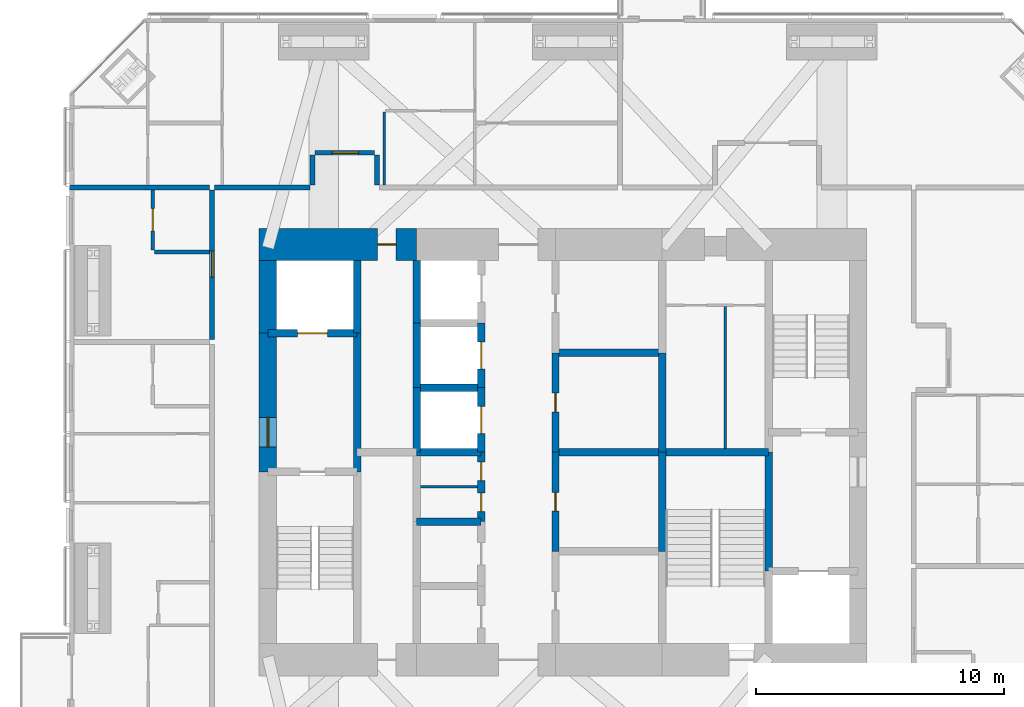
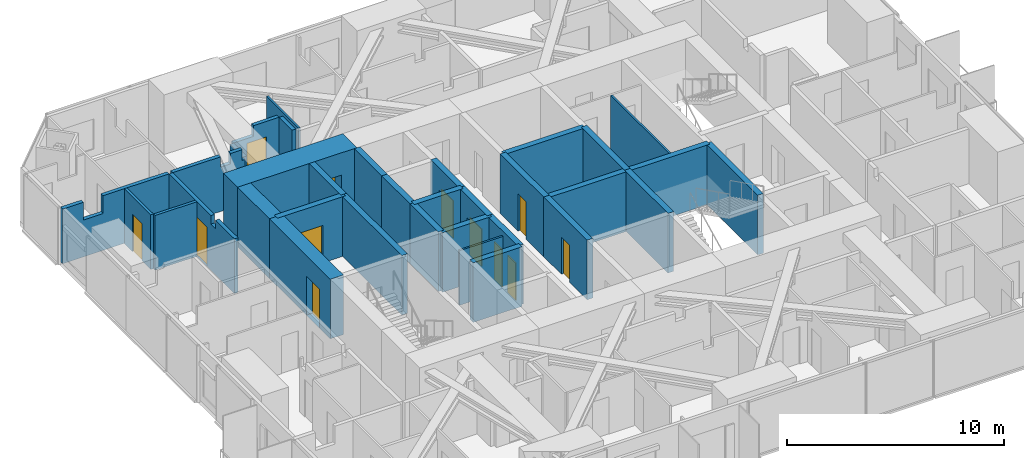
# One storey, part 18 of 22: 34 walls, 12 doors, 12 openings.
"""IFC4 building model written with IfcOpenShell, lengths in metres."""

from ifc_helpers import new_model, si_unit, direction, frame, frame_2d, origin, place, context, subcontext, project, spatial, polyline, rectangle, outline, extrude, material, layer, layer_set, constituent, constituent_set, type_object, element, fill, save


model = new_model("IFC4")

# Units and contexts
model_context = context("Model", 3, precision=1e-05, world=origin(), true_north=direction((0.0, 1.0)))
body_context = subcontext(model_context, "Body", "Model", "MODEL_VIEW")
ifc_project = project(units=[si_unit("LENGTHUNIT", "METRE"), si_unit("AREAUNIT", "SQUARE_METRE"), si_unit("VOLUMEUNIT", "CUBIC_METRE"), si_unit("PLANEANGLEUNIT", "RADIAN"), si_unit("MASSUNIT", "GRAM", prefix="KILO")], contexts=[model_context])

# Site, building, storey
site_placement = place(None, origin())
site = spatial("IfcSite", under=ifc_project, at=site_placement, CompositionType="ELEMENT")
building_placement = place(site_placement, origin())
building = spatial("IfcBuilding", under=site, at=building_placement, Name="Jalousie Tower", CompositionType="ELEMENT")
storey_placement = place(building_placement, frame((0.0, 0.0, 204.60009765625)))
storey = spatial("IfcBuildingStorey", under=building, at=storey_placement, Name="L56", CompositionType="ELEMENT", Elevation=204.60009765625)

# Wall, opening, door
ifc_material_1 = material(Name="Concrete block ASTM C90", Category="concrete")
ifc_constituent_1 = constituent(ifc_material_1, Name="Body")
ifc_material_2 = material(Name="Render")
ifc_constituent_2 = constituent(ifc_material_2, Name="Finish")
ifc_constituent_set_1 = constituent_set(constituents=[ifc_constituent_1, ifc_constituent_2])
wall_type_1 = type_object("IfcWallType", Name="BATHROOM WALL 150", PredefinedType="PLUMBINGWALL", material=ifc_constituent_set_1)
wall_1_placement = place(storey_placement, frame((15.35009765625, 26.64990234375, 0.0), z_axis=(0.0, 0.0, 1.0), x_axis=(0.0, 1.0, 0.0)))
wall_1 = element("IfcWall", 1, at=wall_1_placement, inside=storey, type_object=wall_type_1, Name="Bathroom Wall 150 L56", PredefinedType="PLUMBINGWALL", context=body_context, shape_type="SweptSolid", body=[
    extrude(rectangle(XDim=2.425048828125, YDim=0.14990234375, at=frame_2d((1.21240234375, 0.0))), origin(), (0.0, 0.0, 1.0), 3.06982421875),
])
opening_1_placement = place(wall_1_placement, frame((0.77490234375, 0.0, 0.0)))
opening_1 = element("IfcOpeningElement", 2, at=opening_1_placement, cuts=wall_1, Name="Opening D3", PredefinedType="OPENING", context=body_context, shape_type="SweptSolid", body=[
    extrude(rectangle(XDim=0.89990234375, YDim=2.10009765625, at=frame_2d((0.449951171875, 1.050048828125))), frame((0.0, 0.0849609375, 0.0), z_axis=(0.0, -1.0, 0.0), x_axis=(1.0, 0.0, 0.0)), (0.0, 0.0, 1.0), 0.169921875),
])
ifc_material_3 = material(Name="Timber door", Category="wood")
door_type_1 = type_object("IfcDoorType", Name="BATHROOM DOOR 900", OperationType="SINGLE_SWING_LEFT", PredefinedType="DOOR", material=ifc_material_3)
door_1_placement = place(opening_1_placement, frame((0.89990234375, 0.0, 0.0), z_axis=(0.0, 0.0, 1.0), x_axis=(-1.0, 0.0, 0.0)))
door_1 = element("IfcDoor", 3, at=door_1_placement, inside=storey, type_object=door_type_1, Name="Apartment 5605 bathroom door", OperationType="SINGLE_SWING_LEFT", OverallHeight=2.10009765625, OverallWidth=0.89990234375, PredefinedType="DOOR", context=body_context, shape_type="SweptSolid", body=[
    extrude(rectangle(XDim=0.89990234375, YDim=2.10009765625, at=frame_2d((0.449951171875, 1.050048828125))), frame((0.0, 0.02490234375, 0.0), z_axis=(0.0, -1.0, 0.0), x_axis=(1.0, 0.0, 0.0)), (0.0, 0.0, 1.0), 0.050048828125),
])
fill(opening_1, door_1)

# Wall
wall_2_placement = place(storey_placement, frame((15.425048828125, 26.574951171875, 0.0), z_axis=(0.0, 0.0, 1.0), x_axis=(1.0, 0.0, 0.0)))
element("IfcWall", 4, at=wall_2_placement, inside=storey, type_object=wall_type_1, Name="Bathroom Wall 150 L56", PredefinedType="PLUMBINGWALL", context=body_context, shape_type="SweptSolid", body=[
    extrude(rectangle(XDim=2.224853515625, YDim=0.14990234375, at=frame_2d((1.1123046875, 0.0))), origin(), (0.0, 0.0, 1.0), 3.06982421875),
])

# Wall, opening, door
ifc_material_4 = material(Name="Concrete f'c 120 MPa", Category="concrete")
ifc_layer_1 = layer(ifc_material_4, 1.300048828125)
ifc_layer_set_1 = layer_set([ifc_layer_1], Name="Concrete f'c 120 MPa")
wall_type_2 = type_object("IfcWallType", Name="CORE WALL 1300", PredefinedType="SHEAR", material=ifc_layer_set_1)
wall_3_placement = place(storey_placement, frame((26.0, 26.875, 0.0), z_axis=(0.0, 0.0, 1.0), x_axis=(-1.0, 0.0, 0.0)))
wall_3 = element("IfcWall", 5, at=wall_3_placement, inside=storey, type_object=wall_type_2, Name="Core wall ND L56", PredefinedType="SHEAR", context=body_context, shape_type="SweptSolid", body=[
    extrude(rectangle(XDim=6.35009765625, YDim=1.300048828125, at=frame_2d((3.175048828125, 0.0))), origin(), (0.0, 0.0, 1.0), 3.349853515625),
])
opening_2_placement = place(wall_3_placement, frame((0.824951171875, 0.0, 0.0)))
opening_2 = element("IfcOpeningElement", 6, at=opening_2_placement, cuts=wall_3, Name="Opening D16", PredefinedType="OPENING", context=body_context, shape_type="SweptSolid", body=[
    extrude(rectangle(XDim=0.75, YDim=2.10009765625, at=frame_2d((0.375, 1.050048828125))), frame((0.0, 0.659912109375, 0.0), z_axis=(0.0, -1.0, 0.0), x_axis=(1.0, 0.0, 0.0)), (0.0, 0.0, 1.0), 1.320068359375),
])
ifc_material_5 = material(Name="Steel fire door", Category="steel")
door_type_2 = type_object("IfcDoorType", Name="RISER DOOR 750", OperationType="SINGLE_SWING_LEFT", PredefinedType="DOOR", material=ifc_material_5)
door_2_placement = place(opening_2_placement, origin())
door_2 = element("IfcDoor", 7, at=door_2_placement, inside=storey, type_object=door_type_2, Name="North riser door", OperationType="SINGLE_SWING_RIGHT", OverallHeight=2.10009765625, OverallWidth=0.75, PredefinedType="DOOR", context=body_context, shape_type="SweptSolid", body=[
    extrude(rectangle(XDim=0.75, YDim=2.10009765625, at=frame_2d((0.375, 1.050048828125))), frame((0.0, 0.02490234375, 0.0), z_axis=(0.0, -1.0, 0.0), x_axis=(1.0, 0.0, 0.0)), (0.0, 0.0, 1.0), 0.050048828125),
])
fill(opening_2, door_2)

# Walls
ifc_material_6 = material(Name="Concrete f'c 120 MPa", Category="concrete")
ifc_layer_2 = layer(ifc_material_6, 0.300048828125)
ifc_layer_set_2 = layer_set([ifc_layer_2], Name="Concrete f'c 120 MPa")
wall_type_3 = type_object("IfcWallType", Name="CORE WALL 300", PredefinedType="SHEAR", material=ifc_layer_set_2)
wall_4_placement = place(storey_placement, frame((23.60009765625, 17.699951171875, 0.0), z_axis=(0.0, 0.0, 1.0), x_axis=(0.0, 1.0, 0.0)))
element("IfcWall", 8, at=wall_4_placement, inside=storey, type_object=wall_type_3, Name="Core wall X23.6B L56", PredefinedType="SHEAR", context=body_context, shape_type="SweptSolid", body=[
    extrude(rectangle(XDim=5.60009765625, YDim=0.300048828125, at=frame_2d((2.800048828125, 0.0))), origin(), (0.0, 0.0, 1.0), 3.349853515625),
])
wall_5_placement = place(storey_placement, frame((23.60009765625, 23.300048828125, 0.0), z_axis=(0.0, 0.0, 1.0), x_axis=(0.0, 1.0, 0.0)))
element("IfcWall", 9, at=wall_5_placement, inside=storey, type_object=wall_type_3, Name="Core wall X23.6C L56", PredefinedType="SHEAR", context=body_context, shape_type="SweptSolid", body=[
    extrude(rectangle(XDim=2.925048828125, YDim=0.300048828125, at=frame_2d((1.46240234375, 0.0))), origin(), (0.0, 0.0, 1.0), 3.349853515625),
])
wall_6_placement = place(storey_placement, frame((26.0, 18.5, 0.0), z_axis=(0.0, 0.0, 1.0), x_axis=(0.0, 1.0, 0.0)))
element("IfcWall", 10, at=wall_6_placement, inside=storey, type_object=wall_type_3, Name="Core wall X26D L56", PredefinedType="SHEAR", context=body_context, shape_type="SweptSolid", body=[
    extrude(rectangle(XDim=2.60009765625, YDim=0.300048828125, at=frame_2d((1.300048828125, 0.0))), origin(), (0.0, 0.0, 1.0), 3.349853515625),
])
wall_7_placement = place(storey_placement, frame((26.0, 21.10009765625, 0.0), z_axis=(0.0, 0.0, 1.0), x_axis=(0.0, 1.0, 0.0)))
element("IfcWall", 11, at=wall_7_placement, inside=storey, type_object=wall_type_3, Name="Core wall X26E L56", PredefinedType="SHEAR", context=body_context, shape_type="SweptSolid", body=[
    extrude(rectangle(XDim=2.599853515625, YDim=0.300048828125, at=frame_2d((1.2998046875, 0.0))), origin(), (0.0, 0.0, 1.0), 3.349853515625),
])
wall_8_placement = place(storey_placement, frame((26.0, 23.699951171875, 0.0), z_axis=(0.0, 0.0, 1.0), x_axis=(0.0, 1.0, 0.0)))
element("IfcWall", 12, at=wall_8_placement, inside=storey, type_object=wall_type_3, Name="Core wall X26F L56", PredefinedType="SHEAR", context=body_context, shape_type="SweptSolid", body=[
    extrude(rectangle(XDim=2.525146484375, YDim=0.300048828125, at=frame_2d((1.2626953125, 0.0))), origin(), (0.0, 0.0, 1.0), 3.349853515625),
])

# Wall, openings, doors
wall_9_placement = place(storey_placement, frame((28.60009765625, 15.699951171875, 0.0), z_axis=(0.0, 0.0, 1.0), x_axis=(0.0, 1.0, 0.0)))
wall_9 = element("IfcWall", 13, at=wall_9_placement, inside=storey, type_object=wall_type_3, Name="Core wall X28.6C L56", PredefinedType="SHEAR", context=body_context, shape_type="SweptSolid", body=[
    extrude(rectangle(XDim=2.800048828125, YDim=0.300048828125, at=frame_2d((1.39990234375, 0.0))), origin(), (0.0, 0.0, 1.0), 3.349853515625),
])
opening_3_placement = place(wall_9_placement, frame((0.39990234375, 0.0, 0.0)))
opening_3 = element("IfcOpeningElement", 14, at=opening_3_placement, cuts=wall_9, Name="Opening D27", PredefinedType="OPENING", context=body_context, shape_type="SweptSolid", body=[
    extrude(rectangle(XDim=0.75, YDim=2.10009765625, at=frame_2d((0.375, 1.050048828125))), frame((0.0, 0.159912109375, 0.0), z_axis=(0.0, -1.0, 0.0), x_axis=(1.0, 0.0, 0.0)), (0.0, 0.0, 1.0), 0.320068359375),
])
opening_4_placement = place(wall_9_placement, frame((1.64990234375, 0.0, 0.0)))
opening_4 = element("IfcOpeningElement", 15, at=opening_4_placement, cuts=wall_9, Name="Opening D27", PredefinedType="OPENING", context=body_context, shape_type="SweptSolid", body=[
    extrude(rectangle(XDim=0.75, YDim=2.10009765625, at=frame_2d((0.375, 1.050048828125))), frame((0.0, 0.159912109375, 0.0), z_axis=(0.0, -1.0, 0.0), x_axis=(1.0, 0.0, 0.0)), (0.0, 0.0, 1.0), 0.320068359375),
])
ifc_material_7 = material(Name="Steel fire door", Category="steel")
door_type_3 = type_object("IfcDoorType", Name="CORE ROOM DOOR 750", OperationType="SINGLE_SWING_LEFT", PredefinedType="DOOR", material=ifc_material_7)
door_3_placement = place(opening_3_placement, origin())
door_3 = element("IfcDoor", 16, at=door_3_placement, inside=storey, type_object=door_type_3, Name="Store door", OperationType="SINGLE_SWING_RIGHT", OverallHeight=2.10009765625, OverallWidth=0.75, PredefinedType="DOOR", context=body_context, shape_type="SweptSolid", body=[
    extrude(rectangle(XDim=0.75, YDim=2.10009765625, at=frame_2d((0.375, 1.050048828125))), frame((0.0, 0.02490234375, 0.0), z_axis=(0.0, -1.0, 0.0), x_axis=(1.0, 0.0, 0.0)), (0.0, 0.0, 1.0), 0.050048828125),
])
fill(opening_3, door_3)
door_4_placement = place(opening_4_placement, origin())
door_4 = element("IfcDoor", 17, at=door_4_placement, inside=storey, type_object=door_type_3, Name="Linen store door", OperationType="SINGLE_SWING_LEFT", OverallHeight=2.10009765625, OverallWidth=0.75, PredefinedType="DOOR", context=body_context, shape_type="SweptSolid", body=[
    extrude(rectangle(XDim=0.75, YDim=2.10009765625, at=frame_2d((0.375, 1.050048828125))), frame((0.0, 0.02490234375, 0.0), z_axis=(0.0, -1.0, 0.0), x_axis=(1.0, 0.0, 0.0)), (0.0, 0.0, 1.0), 0.050048828125),
])
fill(opening_4, door_4)

# Wall, opening, door
wall_10_placement = place(storey_placement, frame((28.60009765625, 18.5, 0.0), z_axis=(0.0, 0.0, 1.0), x_axis=(0.0, 1.0, 0.0)))
wall_10 = element("IfcWall", 18, at=wall_10_placement, inside=storey, type_object=wall_type_3, Name="Core wall X28.6D L56", PredefinedType="SHEAR", context=body_context, shape_type="SweptSolid", body=[
    extrude(rectangle(XDim=2.60009765625, YDim=0.300048828125, at=frame_2d((1.300048828125, 0.0))), origin(), (0.0, 0.0, 1.0), 3.349853515625),
])
opening_5_placement = place(wall_10_placement, frame((0.75, 0.0, 0.0)))
opening_5 = element("IfcOpeningElement", 19, at=opening_5_placement, cuts=wall_10, Name="Opening LD1", PredefinedType="OPENING", context=body_context, shape_type="SweptSolid", body=[
    extrude(rectangle(XDim=1.10009765625, YDim=2.10009765625, at=frame_2d((0.550048828125, 1.050048828125))), frame((0.0, 0.159912109375, 0.0), z_axis=(0.0, -1.0, 0.0), x_axis=(1.0, 0.0, 0.0)), (0.0, 0.0, 1.0), 0.320068359375),
])
ifc_material_8 = material(Name="Steel lift landing door", Category="steel")
door_type_4 = type_object("IfcDoorType", Name="LIFT LANDING DOOR 1100", OperationType="SLIDING_TO_LEFT", PredefinedType="DOOR", material=ifc_material_8)
door_5_placement = place(opening_5_placement, origin())
door_5 = element("IfcDoor", 20, at=door_5_placement, inside=storey, type_object=door_type_4, Name="Lift P4 landing door", OperationType="SLIDING_TO_LEFT", OverallHeight=2.10009765625, OverallWidth=1.10009765625, PredefinedType="DOOR", context=body_context, shape_type="SweptSolid", body=[
    extrude(rectangle(XDim=1.10009765625, YDim=2.10009765625, at=frame_2d((0.550048828125, 1.050048828125))), frame((0.0, 0.02490234375, 0.0), z_axis=(0.0, -1.0, 0.0), x_axis=(1.0, 0.0, 0.0)), (0.0, 0.0, 1.0), 0.050048828125),
])
fill(opening_5, door_5)

wall_11_placement = place(storey_placement, frame((28.60009765625, 21.10009765625, 0.0), z_axis=(0.0, 0.0, 1.0), x_axis=(0.0, 1.0, 0.0)))
wall_11 = element("IfcWall", 21, at=wall_11_placement, inside=storey, type_object=wall_type_3, Name="Core wall X28.6E L56", PredefinedType="SHEAR", context=body_context, shape_type="SweptSolid", body=[
    extrude(rectangle(XDim=2.599853515625, YDim=0.300048828125, at=frame_2d((1.2998046875, 0.0))), origin(), (0.0, 0.0, 1.0), 3.349853515625),
])
opening_6_placement = place(wall_11_placement, frame((0.75, 0.0, 0.0)))
opening_6 = element("IfcOpeningElement", 22, at=opening_6_placement, cuts=wall_11, Name="Opening LD1", PredefinedType="OPENING", context=body_context, shape_type="SweptSolid", body=[
    extrude(rectangle(XDim=1.10009765625, YDim=2.10009765625, at=frame_2d((0.550048828125, 1.050048828125))), frame((0.0, 0.159912109375, 0.0), z_axis=(0.0, -1.0, 0.0), x_axis=(1.0, 0.0, 0.0)), (0.0, 0.0, 1.0), 0.320068359375),
])
door_6_placement = place(opening_6_placement, origin())
door_6 = element("IfcDoor", 23, at=door_6_placement, inside=storey, type_object=door_type_4, Name="Lift P5 landing door", OperationType="SLIDING_TO_LEFT", OverallHeight=2.10009765625, OverallWidth=1.10009765625, PredefinedType="DOOR", context=body_context, shape_type="SweptSolid", body=[
    extrude(rectangle(XDim=1.10009765625, YDim=2.10009765625, at=frame_2d((0.550048828125, 1.050048828125))), frame((0.0, 0.02490234375, 0.0), z_axis=(0.0, -1.0, 0.0), x_axis=(1.0, 0.0, 0.0)), (0.0, 0.0, 1.0), 0.050048828125),
])
fill(opening_6, door_6)

wall_12_placement = place(storey_placement, frame((31.60009765625, 14.5, 0.0), z_axis=(0.0, 0.0, 1.0), x_axis=(0.0, 1.0, 0.0)))
wall_12 = element("IfcWall", 24, at=wall_12_placement, inside=storey, type_object=wall_type_3, Name="Core wall X31.6B L56", PredefinedType="SHEAR", context=body_context, shape_type="SweptSolid", body=[
    extrude(rectangle(XDim=4.0, YDim=0.300048828125, at=frame_2d((2.0, 0.0))), origin(), (0.0, 0.0, 1.0), 3.349853515625),
])
opening_7_placement = place(wall_12_placement, frame((1.625, 0.0, 0.0)))
opening_7 = element("IfcOpeningElement", 25, at=opening_7_placement, cuts=wall_12, Name="Opening D16", PredefinedType="OPENING", context=body_context, shape_type="SweptSolid", body=[
    extrude(rectangle(XDim=0.75, YDim=2.10009765625, at=frame_2d((0.375, 1.050048828125))), frame((0.0, 0.159912109375, 0.0), z_axis=(0.0, -1.0, 0.0), x_axis=(1.0, 0.0, 0.0)), (0.0, 0.0, 1.0), 0.320068359375),
])
door_7_placement = place(opening_7_placement, frame((0.75, 0.0, 0.0), z_axis=(0.0, 0.0, 1.0), x_axis=(-1.0, 0.0, 0.0)))
door_7 = element("IfcDoor", 26, at=door_7_placement, inside=storey, type_object=door_type_2, Name="Electrical Room door", OperationType="SINGLE_SWING_RIGHT", OverallHeight=2.10009765625, OverallWidth=0.75, PredefinedType="DOOR", context=body_context, shape_type="SweptSolid", body=[
    extrude(rectangle(XDim=0.75, YDim=2.10009765625, at=frame_2d((0.375, 1.050048828125))), frame((0.0, 0.02490234375, 0.0), z_axis=(0.0, -1.0, 0.0), x_axis=(1.0, 0.0, 0.0)), (0.0, 0.0, 1.0), 0.050048828125),
])
fill(opening_7, door_7)

wall_13_placement = place(storey_placement, frame((31.60009765625, 18.5, 0.0), z_axis=(0.0, 0.0, 1.0), x_axis=(0.0, 1.0, 0.0)))
wall_13 = element("IfcWall", 27, at=wall_13_placement, inside=storey, type_object=wall_type_3, Name="Core wall X31.6C L56", PredefinedType="SHEAR", context=body_context, shape_type="SweptSolid", body=[
    extrude(rectangle(XDim=4.0, YDim=0.300048828125, at=frame_2d((2.0, 0.0))), origin(), (0.0, 0.0, 1.0), 3.349853515625),
])
opening_8_placement = place(wall_13_placement, frame((1.625, 0.0, 0.0)))
opening_8 = element("IfcOpeningElement", 28, at=opening_8_placement, cuts=wall_13, Name="Opening D16", PredefinedType="OPENING", context=body_context, shape_type="SweptSolid", body=[
    extrude(rectangle(XDim=0.75, YDim=2.10009765625, at=frame_2d((0.375, 1.050048828125))), frame((0.0, 0.159912109375, 0.0), z_axis=(0.0, -1.0, 0.0), x_axis=(1.0, 0.0, 0.0)), (0.0, 0.0, 1.0), 0.320068359375),
])
door_8_placement = place(opening_8_placement, frame((0.75, 0.0, 0.0), z_axis=(0.0, 0.0, 1.0), x_axis=(-1.0, 0.0, 0.0)))
door_8 = element("IfcDoor", 29, at=door_8_placement, inside=storey, type_object=door_type_2, Name="Telecom Room door", OperationType="SINGLE_SWING_RIGHT", OverallHeight=2.10009765625, OverallWidth=0.75, PredefinedType="DOOR", context=body_context, shape_type="SweptSolid", body=[
    extrude(rectangle(XDim=0.75, YDim=2.10009765625, at=frame_2d((0.375, 1.050048828125))), frame((0.0, 0.02490234375, 0.0), z_axis=(0.0, -1.0, 0.0), x_axis=(1.0, 0.0, 0.0)), (0.0, 0.0, 1.0), 0.050048828125),
])
fill(opening_8, door_8)

# Walls
for number, where, z_axis, x_axis, name in (
    (30, (35.89990234375, 14.5, 0.0), (0.0, 0.0, 1.0), (0.0, 1.0, 0.0), "Core wall X35.9B L56"),
    (31, (35.89990234375, 18.5, 0.0), (0.0, 0.0, 1.0), (0.0, 1.0, 0.0), "Core wall X35.9C L56"),
):
    element("IfcWall", number, at=place(storey_placement, frame(where, z_axis=z_axis, x_axis=x_axis)), inside=storey, type_object=wall_type_3, Name=name, PredefinedType="SHEAR", context=body_context, shape_type="SweptSolid", body=[
        extrude(rectangle(XDim=4.0, YDim=0.300048828125, at=frame_2d((2.0, 0.0))), origin(), (0.0, 0.0, 1.0), 3.349853515625),
    ])
wall_14_placement = place(storey_placement, frame((40.199951171875, 13.699951171875, 0.0), z_axis=(0.0, 0.0, 1.0), x_axis=(0.0, 1.0, 0.0)))
element("IfcWall", 32, at=wall_14_placement, inside=storey, type_object=wall_type_3, Name="Core wall X40.2B L56", PredefinedType="SHEAR", context=body_context, shape_type="SweptSolid", body=[
    extrude(rectangle(XDim=4.800048828125, YDim=0.300048828125, at=frame_2d((2.39990234375, 0.0))), origin(), (0.0, 0.0, 1.0), 3.349853515625),
])

# Wall, opening, door
wall_15_placement = place(storey_placement, frame((20.0, 23.300048828125, 0.0), z_axis=(0.0, 0.0, 1.0), x_axis=(1.0, 0.0, 0.0)))
wall_15 = element("IfcWall", 33, at=wall_15_placement, inside=storey, type_object=wall_type_3, Name="Core wall Y20-23.3 L56", PredefinedType="SHEAR", context=body_context, shape_type="SweptSolid", body=[
    extrude(rectangle(XDim=3.60009765625, YDim=0.300048828125, at=frame_2d((1.800048828125, 0.0))), origin(), (0.0, 0.0, 1.0), 3.349853515625),
])
opening_9_placement = place(wall_15_placement, frame((1.199951171875, 0.0, 0.0)))
opening_9 = element("IfcOpeningElement", 34, at=opening_9_placement, cuts=wall_15, Name="Opening LD2", PredefinedType="OPENING", context=body_context, shape_type="SweptSolid", body=[
    extrude(rectangle(XDim=1.199951171875, YDim=2.10009765625, at=frame_2d((0.60009765625, 1.050048828125))), frame((0.0, 0.159912109375, 0.0), z_axis=(0.0, -1.0, 0.0), x_axis=(1.0, 0.0, 0.0)), (0.0, 0.0, 1.0), 0.320068359375),
])
ifc_material_9 = material(Name="Steel lift landing door", Category="steel")
door_type_5 = type_object("IfcDoorType", Name="LIFT LANDING DOOR 1200", OperationType="SLIDING_TO_LEFT", PredefinedType="DOOR", material=ifc_material_9)
door_9_placement = place(opening_9_placement, origin())
door_9 = element("IfcDoor", 35, at=door_9_placement, inside=storey, type_object=door_type_5, Name="Lift F1 landing door", OperationType="SLIDING_TO_LEFT", OverallHeight=2.10009765625, OverallWidth=1.199951171875, PredefinedType="DOOR", context=body_context, shape_type="SweptSolid", body=[
    extrude(rectangle(XDim=1.199951171875, YDim=2.10009765625, at=frame_2d((0.60009765625, 1.050048828125))), frame((0.0, 0.02490234375, 0.0), z_axis=(0.0, -1.0, 0.0), x_axis=(1.0, 0.0, 0.0)), (0.0, 0.0, 1.0), 0.050048828125),
])
fill(opening_9, door_9)

# Walls
for number, where, z_axis, x_axis, name in (
    (36, (26.0, 15.699951171875, 0.0), (0.0, 0.0, 1.0), (1.0, 0.0, 0.0), "Core wall Y26-15.7 L56"),
    (37, (26.0, 18.5, 0.0), (0.0, 0.0, 1.0), (1.0, 0.0, 0.0), "Core wall Y26-18.5 L56"),
    (38, (26.0, 21.10009765625, 0.0), (0.0, 0.0, 1.0), (1.0, 0.0, 0.0), "Core wall Y26-21.1 L56"),
):
    element("IfcWall", number, at=place(storey_placement, frame(where, z_axis=z_axis, x_axis=x_axis)), inside=storey, type_object=wall_type_3, Name=name, PredefinedType="SHEAR", context=body_context, shape_type="SweptSolid", body=[
        extrude(rectangle(XDim=2.60009765625, YDim=0.300048828125, at=frame_2d((1.300048828125, 0.0))), origin(), (0.0, 0.0, 1.0), 3.349853515625),
    ])
for number, where, z_axis, x_axis, name in (
    (39, (31.60009765625, 18.5, 0.0), (0.0, 0.0, 1.0), (1.0, 0.0, 0.0), "Core wall Y31.6-18.5 L56"),
    (40, (31.60009765625, 22.5, 0.0), (0.0, 0.0, 1.0), (1.0, 0.0, 0.0), "Core wall Y31.6-22.5 L56"),
):
    element("IfcWall", number, at=place(storey_placement, frame(where, z_axis=z_axis, x_axis=x_axis)), inside=storey, type_object=wall_type_3, Name=name, PredefinedType="SHEAR", context=body_context, shape_type="SweptSolid", body=[
        extrude(rectangle(XDim=4.2998046875, YDim=0.300048828125, at=frame_2d((2.14990234375, 0.0))), origin(), (0.0, 0.0, 1.0), 3.349853515625),
    ])
wall_16_placement = place(storey_placement, frame((35.89990234375, 18.5, 0.0), z_axis=(0.0, 0.0, 1.0), x_axis=(1.0, 0.0, 0.0)))
element("IfcWall", 41, at=wall_16_placement, inside=storey, type_object=wall_type_3, Name="Core wall Y35.9-18.5 L56", PredefinedType="SHEAR", context=body_context, shape_type="SweptSolid", body=[
    extrude(rectangle(XDim=4.300048828125, YDim=0.300048828125, at=frame_2d((2.14990234375, 0.0))), origin(), (0.0, 0.0, 1.0), 3.349853515625),
])
ifc_material_10 = material(Name="Concrete f'c 120 MPa", Category="concrete")
ifc_layer_3 = layer(ifc_material_10, 0.699951171875)
ifc_layer_set_3 = layer_set([ifc_layer_3], Name="Concrete f'c 120 MPa")
wall_type_4 = type_object("IfcWallType", Name="CORE WALL 700", PredefinedType="SHEAR", material=ifc_layer_set_3)
wall_17_placement = place(storey_placement, frame((20.0, 26.22509765625, 0.0), z_axis=(0.0, 0.0, 1.0), x_axis=(0.0, -1.0, 0.0)))
element("IfcWall", 42, at=wall_17_placement, inside=storey, type_object=wall_type_4, Name="Core wall WA L56", PredefinedType="SHEAR", context=body_context, shape_type="SweptSolid", body=[
    extrude(rectangle(XDim=2.925048828125, YDim=0.699951171875, at=frame_2d((1.46240234375, 0.0))), origin(), (0.0, 0.0, 1.0), 3.349853515625),
])

# Wall, opening, door
wall_18_placement = place(storey_placement, frame((20.0, 23.300048828125, 0.0), z_axis=(0.0, 0.0, 1.0), x_axis=(0.0, -1.0, 0.0)))
wall_18 = element("IfcWall", 43, at=wall_18_placement, inside=storey, type_object=wall_type_4, Name="Core wall WB L56", PredefinedType="SHEAR", context=body_context, shape_type="SweptSolid", body=[
    extrude(rectangle(XDim=5.60009765625, YDim=0.699951171875, at=frame_2d((2.800048828125, 0.0))), origin(), (0.0, 0.0, 1.0), 3.349853515625),
])
opening_10_placement = place(wall_18_placement, frame((3.39990234375, 0.0, 0.0)))
opening_10 = element("IfcOpeningElement", 44, at=opening_10_placement, cuts=wall_18, Name="Opening D11", PredefinedType="OPENING", context=body_context, shape_type="SweptSolid", body=[
    extrude(rectangle(XDim=1.199951171875, YDim=2.199951171875, at=frame_2d((0.60009765625, 1.10009765625))), frame((0.0, 0.35986328125, 0.0), z_axis=(0.0, -1.0, 0.0), x_axis=(1.0, 0.0, 0.0)), (0.0, 0.0, 1.0), 0.719970703125),
])
ifc_material_11 = material(Name="Steel fire door", Category="steel")
door_type_6 = type_object("IfcDoorType", Name="FIRE DOOR 1200", OperationType="SINGLE_SWING_LEFT", PredefinedType="DOOR", material=ifc_material_11)
door_10_placement = place(opening_10_placement, origin())
door_10 = element("IfcDoor", 45, at=door_10_placement, inside=storey, type_object=door_type_6, Name="Fire-fighting lobby A door", OperationType="SINGLE_SWING_RIGHT", OverallHeight=2.199951171875, OverallWidth=1.199951171875, PredefinedType="DOOR", context=body_context, shape_type="SweptSolid", body=[
    extrude(rectangle(XDim=1.199951171875, YDim=2.199951171875, at=frame_2d((0.60009765625, 1.10009765625))), frame((0.0, 0.02490234375, 0.0), z_axis=(0.0, -1.0, 0.0), x_axis=(1.0, 0.0, 0.0)), (0.0, 0.0, 1.0), 0.050048828125),
])
fill(opening_10, door_10)

# Wall
ifc_material_12 = material(Name="Concrete block ASTM C90", Category="concrete")
ifc_constituent_3 = constituent(ifc_material_12, Name="Body")
ifc_material_13 = material(Name="Render")
ifc_constituent_4 = constituent(ifc_material_13, Name="Finish")
ifc_constituent_set_2 = constituent_set(constituents=[ifc_constituent_3, ifc_constituent_4])
wall_type_5 = type_object("IfcWallType", Name="CORRIDOR WALL 200", PredefinedType="PARTITIONING", material=ifc_constituent_set_2)
wall_19_placement = place(storey_placement, frame((17.85009765625, 29.175048828125, 0.0), z_axis=(0.0, 0.0, 1.0), x_axis=(1.0, 0.0, 0.0)))
element("IfcWall", 46, at=wall_19_placement, inside=storey, type_object=wall_type_5, Name="Corridor Wall 200 L56", PredefinedType="PARTITIONING", context=body_context, shape_type="SweptSolid", body=[
    extrude(outline(polyline([(0.0, 0.0), (3.849853515625, 0.0), (3.85009765625, 2.469970703125), (3.68994140625, 2.469970703125), (3.68994140625, 3.06982421875), (3.0791015625, 3.06982421875), (3.0791015625, 2.49072265625), (2.535400390625, 2.49072265625), (2.535400390625, 3.06982421875), (0.0, 3.06982421875), (0.0, 0.0)])), frame((0.0, 0.10009765625, 0.0), z_axis=(0.0, -1.0, 0.0), x_axis=(1.0, 0.0, 0.0)), (0.0, 0.0, 1.0), 0.199951171875),
])

# Wall, opening, door
wall_20_placement = place(storey_placement, frame((17.75, 23.050048828125, 0.0), z_axis=(0.0, 0.0, 1.0), x_axis=(0.0, 1.0, 0.0)))
wall_20 = element("IfcWall", 47, at=wall_20_placement, inside=storey, type_object=wall_type_5, Name="Corridor Wall 200 L56", PredefinedType="PARTITIONING", context=body_context, shape_type="SweptSolid", body=[
    extrude(outline(polyline([(0.0, 0.0), (6.02490234375, 0.0), (6.02490234375, 3.06982421875), (2.162109375, 3.06982421875), (2.162109375, 2.594970703125), (1.73779296875, 2.594970703125), (1.73779296875, 3.06982421875), (0.0, 3.06982421875), (0.0, 0.0)])), frame((0.0, 0.10009765625, 0.0), z_axis=(0.0, -1.0, 0.0), x_axis=(1.0, 0.0, 0.0)), (0.0, 0.0, 1.0), 0.199951171875),
])
opening_11_placement = place(wall_20_placement, frame((2.512451171875, 0.0, 0.0)))
opening_11 = element("IfcOpeningElement", 48, at=opening_11_placement, cuts=wall_20, Name="Opening D1", PredefinedType="OPENING", context=body_context, shape_type="SweptSolid", body=[
    extrude(rectangle(XDim=1.050048828125, YDim=2.199951171875, at=frame_2d((0.52490234375, 1.10009765625))), frame((0.0, 0.10986328125, 0.0), z_axis=(0.0, -1.0, 0.0), x_axis=(1.0, 0.0, 0.0)), (0.0, 0.0, 1.0), 0.219970703125),
])
ifc_material_14 = material(Name="Timber fire door", Category="wood")
door_type_7 = type_object("IfcDoorType", Name="APARTMENT ENTRANCE DOOR 1050", OperationType="SINGLE_SWING_LEFT", PredefinedType="DOOR", material=ifc_material_14)
door_11_placement = place(opening_11_placement, origin())
door_11 = element("IfcDoor", 49, at=door_11_placement, inside=storey, type_object=door_type_7, Name="Apartment 5605 entrance", OperationType="SINGLE_SWING_RIGHT", OverallHeight=2.199951171875, OverallWidth=1.050048828125, PredefinedType="DOOR", context=body_context, shape_type="SweptSolid", body=[
    extrude(rectangle(XDim=1.050048828125, YDim=2.199951171875, at=frame_2d((0.52490234375, 1.10009765625))), frame((0.0, 0.02490234375, 0.0), z_axis=(0.0, -1.0, 0.0), x_axis=(1.0, 0.0, 0.0)), (0.0, 0.0, 1.0), 0.050048828125),
])
fill(opening_11, door_11)

wall_21_placement = place(storey_placement, frame((21.89990234375, 30.574951171875, 0.0), z_axis=(0.0, 0.0, 1.0), x_axis=(1.0, 0.0, 0.0)))
wall_21 = element("IfcWall", 50, at=wall_21_placement, inside=storey, type_object=wall_type_5, Name="Corridor Wall 200 L56", PredefinedType="PARTITIONING", context=body_context, shape_type="SweptSolid", body=[
    extrude(outline(polyline([(0.0, 0.0), (2.400146484375, 0.0), (2.39990234375, 3.06982421875), (1.06005859375, 3.06982421875), (1.06005859375, 2.469970703125), (0.0, 2.469970703125), (0.0, 3.06982421875), (0.0, 0.0)])), frame((0.0, 0.10009765625, 0.0), z_axis=(0.0, -1.0, 0.0), x_axis=(1.0, 0.0, 0.0)), (0.0, 0.0, 1.0), 0.199951171875),
])
opening_12_placement = place(wall_21_placement, frame((0.699951171875, 0.0, 0.0)))
opening_12 = element("IfcOpeningElement", 51, at=opening_12_placement, cuts=wall_21, Name="Opening D1", PredefinedType="OPENING", context=body_context, shape_type="SweptSolid", body=[
    extrude(rectangle(XDim=1.050048828125, YDim=2.199951171875, at=frame_2d((0.52490234375, 1.10009765625))), frame((0.0, 0.10986328125, 0.0), z_axis=(0.0, -1.0, 0.0), x_axis=(1.0, 0.0, 0.0)), (0.0, 0.0, 1.0), 0.219970703125),
])
door_12_placement = place(opening_12_placement, origin())
door_12 = element("IfcDoor", 52, at=door_12_placement, inside=storey, type_object=door_type_7, Name="Apartment 5603 entrance", OperationType="SINGLE_SWING_RIGHT", OverallHeight=2.199951171875, OverallWidth=1.050048828125, PredefinedType="DOOR", context=body_context, shape_type="SweptSolid", body=[
    extrude(rectangle(XDim=1.050048828125, YDim=2.199951171875, at=frame_2d((0.52490234375, 1.10009765625))), frame((0.0, 0.02490234375, 0.0), z_axis=(0.0, -1.0, 0.0), x_axis=(1.0, 0.0, 0.0)), (0.0, 0.0, 1.0), 0.050048828125),
])
fill(opening_12, door_12)

# Walls
wall_22_placement = place(storey_placement, frame((21.800048828125, 29.27490234375, 0.0), z_axis=(0.0, 0.0, 1.0), x_axis=(0.0, 1.0, 0.0)))
element("IfcWall", 53, at=wall_22_placement, inside=storey, type_object=wall_type_5, Name="Corridor Wall 200 L56", PredefinedType="PARTITIONING", context=body_context, shape_type="SweptSolid", body=[
    extrude(outline(polyline([(0.0, 0.0), (1.2001953125, 0.0), (1.199951171875, 3.06982421875), (1.199951171875, 2.469970703125), (0.0, 2.469970703125), (0.0, 3.06982421875), (0.0, 0.0)])), frame((0.0, 0.10009765625, 0.0), z_axis=(0.0, -1.0, 0.0), x_axis=(1.0, 0.0, 0.0)), (0.0, 0.0, 1.0), 0.199951171875),
])
wall_23_placement = place(storey_placement, frame((24.39990234375, 29.27490234375, 0.0), z_axis=(0.0, 0.0, 1.0), x_axis=(0.0, 1.0, 0.0)))
element("IfcWall", 54, at=wall_23_placement, inside=storey, type_object=wall_type_5, Name="Corridor Wall 200 L56", PredefinedType="PARTITIONING", context=body_context, shape_type="SweptSolid", body=[
    extrude(rectangle(XDim=1.2001953125, YDim=0.199951171875, at=frame_2d((0.60009765625, 0.0))), origin(), (0.0, 0.0, 1.0), 3.06982421875),
])
ifc_material_15 = material(Name="Gypsum board", Category="gypsum")
ifc_constituent_5 = constituent(ifc_material_15, Name="Body")
ifc_material_16 = material(Name="Light-gauge steel studs ASTM A653 SS Grade 33", Category="steel")
ifc_constituent_6 = constituent(ifc_material_16, Name="Framing")
ifc_constituent_set_3 = constituent_set(constituents=[ifc_constituent_5, ifc_constituent_6])
wall_type_6 = type_object("IfcWallType", Name="PARTITION 100", PredefinedType="PARTITIONING", material=ifc_constituent_set_3)
wall_24_placement = place(storey_placement, frame((24.699951171875, 32.22509765625, 0.0), z_axis=(0.0, 0.0, 1.0), x_axis=(0.0, -1.0, 0.0)))
element("IfcWall", 55, at=wall_24_placement, inside=storey, type_object=wall_type_6, Name="Partition 100 L56", PredefinedType="PARTITIONING", context=body_context, shape_type="SweptSolid", body=[
    extrude(rectangle(XDim=2.9501953125, YDim=0.10009765625, at=frame_2d((1.47509765625, 0.0))), origin(), (0.0, 0.0, 1.0), 3.06982421875),
])
wall_25_placement = place(storey_placement, frame((38.449951171875, 18.64990234375, 0.0), z_axis=(0.0, 0.0, 1.0), x_axis=(0.0, 1.0, 0.0)))
element("IfcWall", 56, at=wall_25_placement, inside=storey, type_object=wall_type_6, Name="Partition 100 L56", PredefinedType="PARTITIONING", context=body_context, shape_type="SweptSolid", body=[
    extrude(rectangle(XDim=5.72509765625, YDim=0.10009765625, at=frame_2d((2.862548828125, 0.0))), origin(), (0.0, 0.0, 1.0), 3.06982421875),
])
wall_26_placement = place(storey_placement, frame((26.14990234375, 17.10009765625, 0.0), z_axis=(0.0, 0.0, 1.0), x_axis=(1.0, 0.0, 0.0)))
element("IfcWall", 57, at=wall_26_placement, inside=storey, type_object=wall_type_6, Name="Partition 100 L56", PredefinedType="PARTITIONING", context=body_context, shape_type="SweptSolid", body=[
    extrude(rectangle(XDim=2.300048828125, YDim=0.10009765625, at=frame_2d((1.14990234375, 0.0))), origin(), (0.0, 0.0, 1.0), 3.06982421875),
])
ifc_material_17 = material(Name="Concrete block ASTM C90", Category="concrete")
ifc_constituent_7 = constituent(ifc_material_17, Name="Body")
ifc_material_18 = material(Name="Render")
ifc_constituent_8 = constituent(ifc_material_18, Name="Finish")
ifc_constituent_set_4 = constituent_set(constituents=[ifc_constituent_7, ifc_constituent_8])
wall_type_7 = type_object("IfcWallType", Name="PARTY WALL 200", PredefinedType="PARTITIONING", material=ifc_constituent_set_4)
wall_27_placement = place(storey_placement, frame((12.0, 29.175048828125, 0.0), z_axis=(0.0, 0.0, 1.0), x_axis=(1.0, 0.0, 0.0)))
element("IfcWall", 58, at=wall_27_placement, inside=storey, type_object=wall_type_7, Name="Party Wall 200 L56", PredefinedType="PARTITIONING", context=body_context, shape_type="SweptSolid", body=[
    extrude(outline(polyline([(0.0, 0.0), (5.64990234375, 0.0), (5.64990234375, 3.06982421875), (2.1474609375, 3.06982421875), (2.1474609375, 2.06982421875), (1.102294921875, 2.06982421875), (1.102294921875, 3.06982421875), (0.0, 3.06982421875), (0.0, 0.0)])), frame((0.0, 0.10009765625, 0.0), z_axis=(0.0, -1.0, 0.0), x_axis=(1.0, 0.0, 0.0)), (0.0, 0.0, 1.0), 0.199951171875),
])

save(model, "model.ifc")
